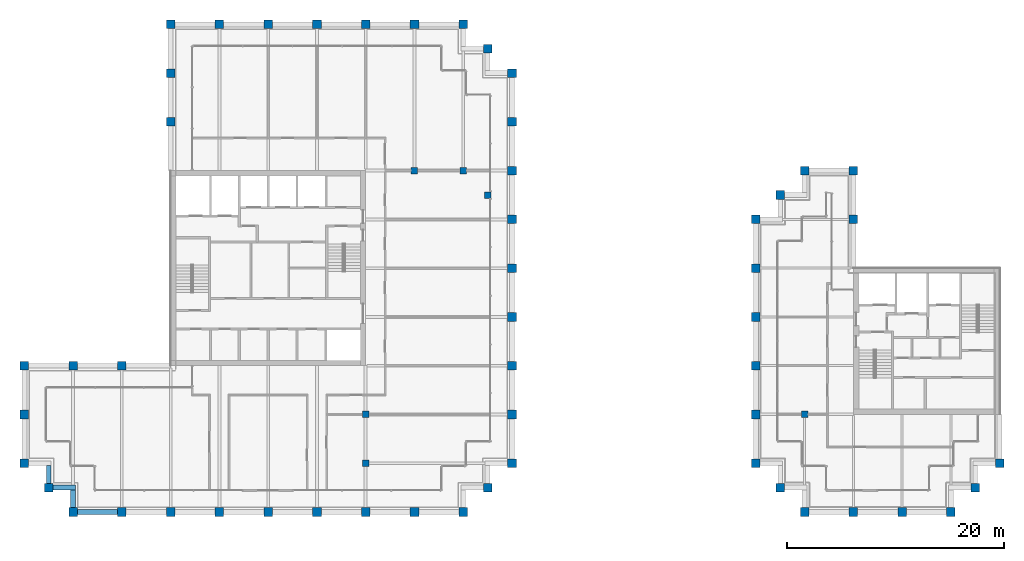
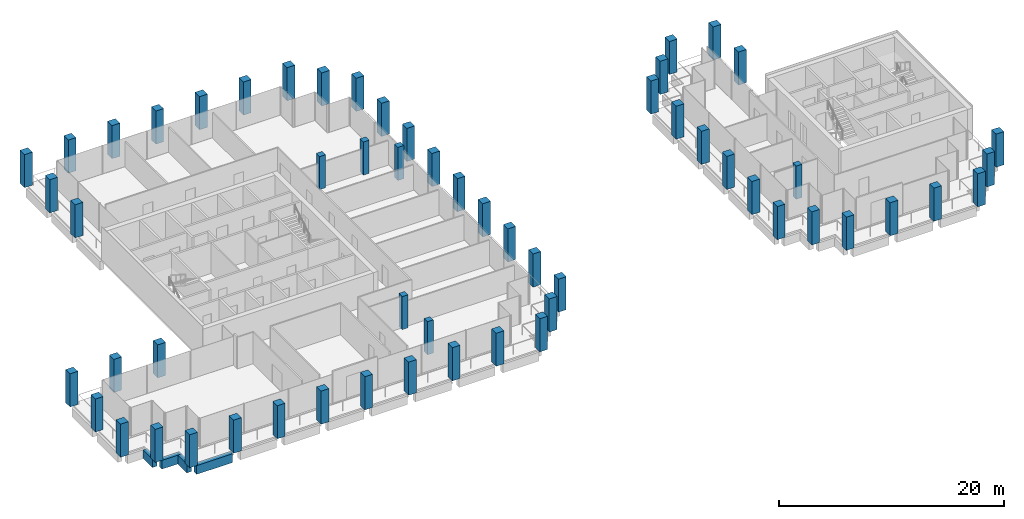
# One storey, part 1 of 41: 58 columns, 4 beams.
"""IFC4 building model written with IfcOpenShell, lengths in metres."""

from ifc_helpers import new_model, si_unit, direction, frame, origin, origin_2d, place, context, subcontext, project, spatial, rectangle, extrude, material, material_profile, profile_set, type_object, element, save


model = new_model("IFC4")

# Units and contexts
model_context = context("Model", 3, precision=1e-05, world=origin(), true_north=direction((0.0, 1.0)))
body_context = subcontext(model_context, "Body", "Model", "MODEL_VIEW")
ifc_project = project(units=[si_unit("LENGTHUNIT", "METRE"), si_unit("AREAUNIT", "SQUARE_METRE"), si_unit("VOLUMEUNIT", "CUBIC_METRE"), si_unit("PLANEANGLEUNIT", "RADIAN"), si_unit("MASSUNIT", "GRAM", prefix="KILO")], contexts=[model_context])

# Site, building, storey
site_placement = place(None, origin())
site = spatial("IfcSite", under=ifc_project, at=site_placement, CompositionType="ELEMENT")
building_placement = place(site_placement, origin())
building = spatial("IfcBuilding", under=site, at=building_placement, Name="Altepetl Exchange Towers", CompositionType="ELEMENT")
storey_placement = place(building_placement, frame((0.0, 0.0, 206.39990234375)))
storey = spatial("IfcBuildingStorey", under=building, at=storey_placement, Name="L52", CompositionType="ELEMENT", Elevation=206.39990234375)

# Columns
ifc_material_1 = material(Name="Concrete C70/85", Category="concrete")
ifc_material_profile_1 = material_profile(ifc_material_1, rectangle(XDim=0.60009765625, YDim=0.60009765625, at=origin_2d()), Name="600 x 600")
ifc_profile_set_1 = profile_set([ifc_material_profile_1], Name="Concrete C70/85")
column_type_1 = type_object("IfcColumnType", Name="Interior column 600", PredefinedType="COLUMN", material=ifc_profile_set_1)
for number, where, name in (
    (1, (58.5, 31.5, 0.0), "col:A:L52:035"),
    (2, (58.5, 36.0, 0.0), "col:A:L52:036"),
    (3, (63.0, 58.5, 0.0), "col:A:L52:037"),
    (4, (67.5, 58.5, 0.0), "col:A:L52:038"),
    (5, (69.75, 56.25, 0.0), "col:A:L52:039"),
    (6, (99.0, 36.0, 0.0), "col:B:L52:017"),
):
    element("IfcColumn", number, at=place(storey_placement, frame(where)), inside=storey, type_object=column_type_1, Name=name, PredefinedType="COLUMN", context=body_context, shape_type="SweptSolid", body=[
        extrude(rectangle(XDim=0.60009765625, YDim=0.60009765625, at=origin_2d()), origin(), (0.0, 0.0, 1.0), 3.60009765625),
    ])
ifc_material_2 = material(Name="Concrete C70/85 precast with cantera amarilla facing", Category="concrete")
ifc_material_profile_2 = material_profile(ifc_material_2, rectangle(XDim=0.800048828125, YDim=0.800048828125, at=origin_2d()), Name="800 x 800")
ifc_profile_set_2 = profile_set([ifc_material_profile_2], Name="Concrete C70/85 precast with cantera amarilla facing")
column_type_2 = type_object("IfcColumnType", Name="Perimeter column 800 cantera amarilla", PredefinedType="COLUMN", material=ifc_profile_set_2)
for number, where, name in (
    (7, (58.5, 27.0, 0.0), "col:A:L52:006"),
    (8, (63.0, 27.0, 0.0), "col:A:L52:007"),
    (9, (67.5, 27.0, 0.0), "col:A:L52:008"),
    (10, (69.75, 29.25, 0.0), "col:A:L52:009"),
    (11, (72.0, 31.5, 0.0), "col:A:L52:010"),
    (12, (72.0, 36.0, 0.0), "col:A:L52:011"),
    (13, (72.0, 40.5, 0.0), "col:A:L52:012"),
    (14, (72.0, 45.0, 0.0), "col:A:L52:013"),
    (15, (72.0, 49.5, 0.0), "col:A:L52:014"),
    (16, (72.0, 54.0, 0.0), "col:A:L52:015"),
):
    element("IfcColumn", number, at=place(storey_placement, frame(where)), inside=storey, type_object=column_type_2, Name=name, PredefinedType="COLUMN", context=body_context, shape_type="SweptSolid", body=[
        extrude(rectangle(XDim=0.800048828125, YDim=0.800048828125, at=origin_2d()), origin(), (0.0, 0.0, 1.0), 3.60009765625),
    ])
ifc_material_3 = material(Name="Concrete C70/85 precast with cantera blanca facing", Category="concrete")
ifc_material_profile_3 = material_profile(ifc_material_3, rectangle(XDim=0.800048828125, YDim=0.800048828125, at=origin_2d()), Name="800 x 800")
ifc_profile_set_3 = profile_set([ifc_material_profile_3], Name="Concrete C70/85 precast with cantera blanca facing")
column_type_3 = type_object("IfcColumnType", Name="Perimeter column 800 cantera blanca", PredefinedType="COLUMN", material=ifc_profile_set_3)
for number, where, name in (
    (17, (31.5, 27.0, 0.0), "col:A:L52:000"),
    (18, (36.0, 27.0, 0.0), "col:A:L52:001"),
    (19, (40.5, 27.0, 0.0), "col:A:L52:002"),
    (20, (45.0, 27.0, 0.0), "col:A:L52:003"),
    (21, (49.5, 27.0, 0.0), "col:A:L52:004"),
    (22, (54.0, 27.0, 0.0), "col:A:L52:005"),
    (23, (27.0, 36.0, 0.0), "col:A:L52:032"),
    (24, (27.0, 31.5, 0.0), "col:A:L52:033"),
    (25, (29.25, 29.25, 0.0), "col:A:L52:034"),
    (26, (117.0, 31.5, 0.0), "col:B:L52:005"),
):
    element("IfcColumn", number, at=place(storey_placement, frame(where)), inside=storey, type_object=column_type_3, Name=name, PredefinedType="COLUMN", context=body_context, shape_type="SweptSolid", body=[
        extrude(rectangle(XDim=0.800048828125, YDim=0.800048828125, at=origin_2d()), origin(), (0.0, 0.0, 1.0), 3.60009765625),
    ])
ifc_material_4 = material(Name="Concrete C70/85 precast with cantera rosa facing", Category="concrete")
ifc_material_profile_4 = material_profile(ifc_material_4, rectangle(XDim=0.800048828125, YDim=0.800048828125, at=origin_2d()), Name="800 x 800")
ifc_profile_set_4 = profile_set([ifc_material_profile_4], Name="Concrete C70/85 precast with cantera rosa facing")
column_type_4 = type_object("IfcColumnType", Name="Perimeter column 800 cantera rosa", PredefinedType="COLUMN", material=ifc_profile_set_4)
for number, where, name in (
    (27, (72.0, 58.5, 0.0), "col:A:L52:016"),
    (28, (72.0, 63.0, 0.0), "col:A:L52:017"),
    (29, (72.0, 67.5, 0.0), "col:A:L52:018"),
    (30, (69.75, 69.75, 0.0), "col:A:L52:019"),
    (31, (67.5, 72.0, 0.0), "col:A:L52:020"),
    (32, (63.0, 72.0, 0.0), "col:A:L52:021"),
    (33, (58.5, 72.0, 0.0), "col:A:L52:022"),
    (34, (54.0, 72.0, 0.0), "col:A:L52:023"),
    (35, (49.5, 72.0, 0.0), "col:A:L52:024"),
    (36, (45.0, 72.0, 0.0), "col:A:L52:025"),
    (37, (103.5, 54.0, 0.0), "col:B:L52:006"),
    (38, (103.5, 58.5, 0.0), "col:B:L52:007"),
    (39, (99.0, 58.5, 0.0), "col:B:L52:008"),
    (40, (96.75, 56.25, 0.0), "col:B:L52:009"),
    (41, (94.5, 54.0, 0.0), "col:B:L52:010"),
    (42, (94.5, 49.5, 0.0), "col:B:L52:011"),
    (43, (94.5, 45.0, 0.0), "col:B:L52:012"),
    (44, (94.5, 40.5, 0.0), "col:B:L52:013"),
    (45, (94.5, 36.0, 0.0), "col:B:L52:014"),
):
    element("IfcColumn", number, at=place(storey_placement, frame(where)), inside=storey, type_object=column_type_4, Name=name, PredefinedType="COLUMN", context=body_context, shape_type="SweptSolid", body=[
        extrude(rectangle(XDim=0.800048828125, YDim=0.800048828125, at=origin_2d()), origin(), (0.0, 0.0, 1.0), 3.60009765625),
    ])
ifc_material_5 = material(Name="Concrete C70/85 precast with tezontle facing", Category="concrete")
ifc_material_profile_5 = material_profile(ifc_material_5, rectangle(XDim=0.800048828125, YDim=0.800048828125, at=origin_2d()), Name="800 x 800")
ifc_profile_set_5 = profile_set([ifc_material_profile_5], Name="Concrete C70/85 precast with tezontle facing")
column_type_5 = type_object("IfcColumnType", Name="Perimeter column 800 tezontle", PredefinedType="COLUMN", material=ifc_profile_set_5)
for number, where, name in (
    (46, (40.5, 72.0, 0.0), "col:A:L52:026"),
    (47, (40.5, 67.5, 0.0), "col:A:L52:027"),
    (48, (40.5, 63.0, 0.0), "col:A:L52:028"),
    (49, (36.0, 40.5, 0.0), "col:A:L52:029"),
    (50, (31.5, 40.5, 0.0), "col:A:L52:030"),
    (51, (27.0, 40.5, 0.0), "col:A:L52:031"),
    (52, (99.0, 27.0, 0.0), "col:B:L52:000"),
    (53, (103.5, 27.0, 0.0), "col:B:L52:001"),
    (54, (108.0, 27.0, 0.0), "col:B:L52:002"),
    (55, (112.5, 27.0, 0.0), "col:B:L52:003"),
    (56, (114.75, 29.25, 0.0), "col:B:L52:004"),
    (57, (94.5, 31.5, 0.0), "col:B:L52:015"),
    (58, (96.75, 29.25, 0.0), "col:B:L52:016"),
):
    element("IfcColumn", number, at=place(storey_placement, frame(where)), inside=storey, type_object=column_type_5, Name=name, PredefinedType="COLUMN", context=body_context, shape_type="SweptSolid", body=[
        extrude(rectangle(XDim=0.800048828125, YDim=0.800048828125, at=origin_2d()), origin(), (0.0, 0.0, 1.0), 3.60009765625),
    ])

# Beams
ifc_material_6 = material(Name="Concrete C50/60 precast with cantera blanca facing", Category="concrete")
ifc_material_profile_6 = material_profile(ifc_material_6, rectangle(XDim=0.449951171875, YDim=0.949951171875, at=origin_2d()), Name="450 x 950")
ifc_profile_set_6 = profile_set([ifc_material_profile_6], Name="Concrete C50/60 precast with cantera blanca facing")
beam_type = type_object("IfcBeamType", Name="Spandrel beam 450x950 cantera blanca", PredefinedType="SPANDREL", material=ifc_profile_set_6)
beam_1_placement = place(storey_placement, frame((31.89990234375, 27.0, -0.625), z_axis=(1.0, 0.0, 0.0), x_axis=(0.0, 1.0, 0.0)))
element("IfcBeam", 59, at=beam_1_placement, inside=storey, type_object=beam_type, Name="sp:A:L52:000", PredefinedType="SPANDREL", context=body_context, shape_type="SweptSolid", body=[
    extrude(rectangle(XDim=0.449951171875, YDim=0.949951171875, at=origin_2d()), origin(), (0.0, 0.0, 1.0), 3.7001953125),
])
beam_2_placement = place(storey_placement, frame((29.25, 31.27490234375, -0.625), z_axis=(0.0, -1.0, 0.0), x_axis=(1.0, 0.0, 0.0)))
element("IfcBeam", 60, at=beam_2_placement, inside=storey, type_object=beam_type, Name="sp:A:L52:039", PredefinedType="SPANDREL", context=body_context, shape_type="SweptSolid", body=[
    extrude(rectangle(XDim=0.449951171875, YDim=0.949951171875, at=origin_2d()), origin(), (0.0, 0.0, 1.0), 1.625),
])
beam_3_placement = place(storey_placement, frame((29.64990234375, 29.25, -0.625), z_axis=(1.0, 0.0, 0.0), x_axis=(0.0, 1.0, 0.0)))
element("IfcBeam", 61, at=beam_3_placement, inside=storey, type_object=beam_type, Name="sp:A:L52:040", PredefinedType="SPANDREL", context=body_context, shape_type="SweptSolid", body=[
    extrude(rectangle(XDim=0.449951171875, YDim=0.949951171875, at=origin_2d()), origin(), (0.0, 0.0, 1.0), 2.0751953125),
])
beam_4_placement = place(storey_placement, frame((31.5, 29.02490234375, -0.625), z_axis=(0.0, -1.0, 0.0), x_axis=(1.0, 0.0, 0.0)))
element("IfcBeam", 62, at=beam_4_placement, inside=storey, type_object=beam_type, Name="sp:A:L52:041", PredefinedType="SPANDREL", context=body_context, shape_type="SweptSolid", body=[
    extrude(rectangle(XDim=0.449951171875, YDim=0.949951171875, at=origin_2d()), origin(), (0.0, 0.0, 1.0), 1.625),
])

save(model, "model.ifc")
